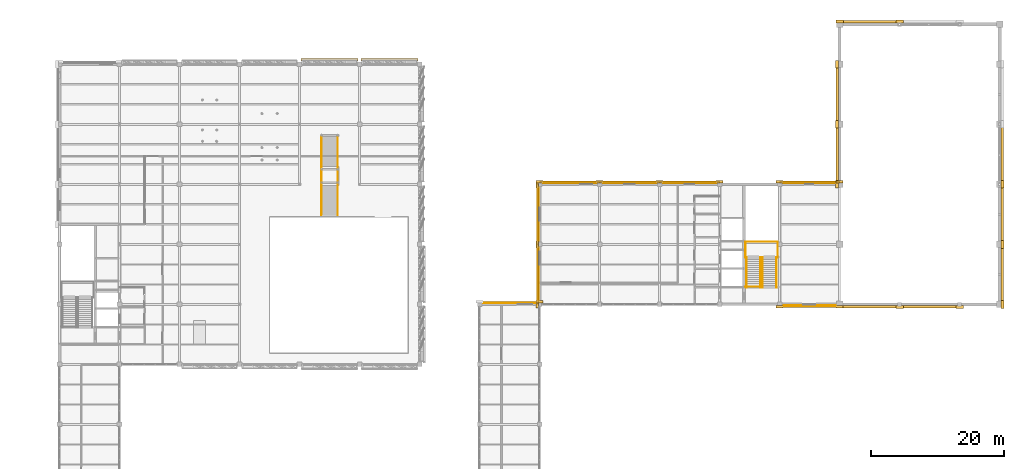
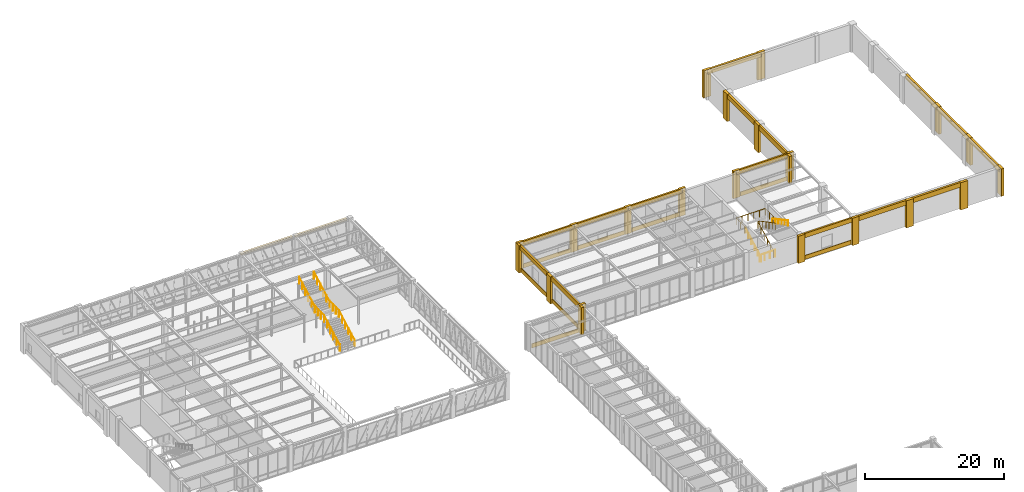
# One storey, part 91 of 92: 47 coverings, 7 railings.
"""IFC4 building model written with IfcOpenShell, lengths in metres."""

from ifc_helpers import new_model, si_unit, direction, frame, origin, origin_2d, place, context, subcontext, project, spatial, rectangle, circle, extrude, material, layer, layer_set, type_object, element, save


model = new_model("IFC4")

# Units and contexts
model_context = context("Model", 3, precision=1e-05, world=origin(), true_north=direction((0.0, 1.0)))
body_context = subcontext(model_context, "Body", "Model", "MODEL_VIEW")
ifc_project = project(units=[si_unit("LENGTHUNIT", "METRE"), si_unit("AREAUNIT", "SQUARE_METRE"), si_unit("VOLUMEUNIT", "CUBIC_METRE"), si_unit("PLANEANGLEUNIT", "RADIAN"), si_unit("MASSUNIT", "GRAM", prefix="KILO")], contexts=[model_context])

# Site, building, storey
site_placement = place(None, origin())
site = spatial("IfcSite", under=ifc_project, at=site_placement, CompositionType="ELEMENT")
building_placement = place(site_placement, origin())
building = spatial("IfcBuilding", under=site, at=building_placement, Name="Lykobir Media Centre", CompositionType="ELEMENT")
storey_placement = place(building_placement, frame((0.0, 0.0, 5.39990234375)))
storey = spatial("IfcBuildingStorey", under=building, at=storey_placement, Name="L01", CompositionType="ELEMENT", Elevation=5.39990234375)

# Coverings
ifc_material_1 = material(Name="Honed Travertine Stone", Category="masonry")
ifc_layer = layer(ifc_material_1, 0.050048828125, Name="Honed Travertine Stone")
ifc_layer_set = layer_set([ifc_layer], Name="Honed Travertine Stone")
covering_type = type_object("IfcCoveringType", Name="CLD-TRAV", PredefinedType="CLADDING", material=ifc_layer_set)
covering_1_placement = place(storey_placement, frame((99.0, 72.3798828125, 0.0), z_axis=(0.0, 0.0, 1.0), x_axis=(-1.0, 0.0, 0.0)))
element("IfcCovering", 1, at=covering_1_placement, inside=storey, type_object=covering_type, Name="Travertine column pier 213", PredefinedType="CLADDING", context=body_context, shape_type="SweptSolid", body=[
    extrude(rectangle(XDim=1.06005859375, YDim=0.39990234375, at=origin_2d()), origin(), (0.0, 0.0, 1.0), 4.800048828125),
])
covering_2_placement = place(storey_placement, frame((94.5, 72.216064453125, 0.080078125), z_axis=(0.0, 0.0, 1.0), x_axis=(-1.0, 0.0, 0.0)))
element("IfcCovering", 2, at=covering_2_placement, inside=storey, type_object=covering_type, Name="Facade spandrel apron 216", PredefinedType="CLADDING", context=body_context, shape_type="SweptSolid", body=[
    extrude(rectangle(XDim=7.929931640625, YDim=0.110107421875, at=origin_2d()), origin(), (0.0, 0.0, 1.0), 0.719970703125),
])
for number, where, z_axis, x_axis, name in (
    (3, (67.5, 108.6845703125, 3.88525390625), (0.0, 0.0, 1.0), (-1.0, 0.0, 0.0), "V6 diagonal crease rib 229"),
    (4, (76.5, 108.6845703125, 3.88525390625), (0.0, 0.0, 1.0), (-1.0, 0.0, 0.0), "V6 diagonal crease rib 230"),
):
    element("IfcCovering", number, at=place(storey_placement, frame(where, z_axis=z_axis, x_axis=x_axis)), inside=storey, type_object=covering_type, Name=name, PredefinedType="CLADDING", context=body_context, shape_type="SweptSolid", body=[
        extrude(rectangle(XDim=8.530029296875, YDim=0.360107421875, at=origin_2d()), origin(), (0.0, 0.0, 1.0), 0.340087890625),
    ])
for number, where, z_axis, x_axis, name in (
    (5, (98.6201171875, 81.0, 0.0), (0.0, 0.0, 1.0), (0.0, -1.0, 0.0), "Travertine column pier 259"),
    (6, (98.6201171875, 72.0, 0.0), (0.0, 0.0, 1.0), (0.0, -1.0, 0.0), "Travertine column pier 260"),
):
    element("IfcCovering", number, at=place(storey_placement, frame(where, z_axis=z_axis, x_axis=x_axis)), inside=storey, type_object=covering_type, Name=name, PredefinedType="CLADDING", context=body_context, shape_type="SweptSolid", body=[
        extrude(rectangle(XDim=1.06005859375, YDim=0.39990234375, at=origin_2d()), origin(), (0.0, 0.0, 1.0), 4.800048828125),
    ])
covering_3_placement = place(storey_placement, frame((98.699951171875, 76.5, 4.0400390625), z_axis=(0.0, 0.0, 1.0), x_axis=(0.0, -1.0, 0.0)))
element("IfcCovering", 7, at=covering_3_placement, inside=storey, type_object=covering_type, Name="Travertine spandrel stringcourse 261", PredefinedType="CLADDING", context=body_context, shape_type="SweptSolid", body=[
    extrude(rectangle(XDim=9.0, YDim=0.280029296875, at=origin_2d()), origin(), (0.0, 0.0, 1.0), 0.760009765625),
])
covering_4_placement = place(storey_placement, frame((98.783935546875, 76.5, 0.080078125), z_axis=(0.0, 0.0, 1.0), x_axis=(0.0, -1.0, 0.0)))
element("IfcCovering", 8, at=covering_4_placement, inside=storey, type_object=covering_type, Name="Facade spandrel apron 262", PredefinedType="CLADDING", context=body_context, shape_type="SweptSolid", body=[
    extrude(rectangle(XDim=7.929931640625, YDim=0.110107421875, at=origin_2d()), origin(), (0.0, 0.0, 1.0), 0.719970703125),
])
covering_5_placement = place(storey_placement, frame((98.6201171875, 90.0, 0.0), z_axis=(0.0, 0.0, 1.0), x_axis=(0.0, -1.0, 0.0)))
element("IfcCovering", 9, at=covering_5_placement, inside=storey, type_object=covering_type, Name="Travertine column pier 263", PredefinedType="CLADDING", context=body_context, shape_type="SweptSolid", body=[
    extrude(rectangle(XDim=1.06005859375, YDim=0.39990234375, at=origin_2d()), origin(), (0.0, 0.0, 1.0), 4.800048828125),
])
covering_6_placement = place(storey_placement, frame((98.699951171875, 85.5, 4.0400390625), z_axis=(0.0, 0.0, 1.0), x_axis=(0.0, -1.0, 0.0)))
element("IfcCovering", 10, at=covering_6_placement, inside=storey, type_object=covering_type, Name="Travertine spandrel stringcourse 264", PredefinedType="CLADDING", context=body_context, shape_type="SweptSolid", body=[
    extrude(rectangle(XDim=9.0, YDim=0.280029296875, at=origin_2d()), origin(), (0.0, 0.0, 1.0), 0.760009765625),
])
covering_7_placement = place(storey_placement, frame((98.783935546875, 85.5, 0.080078125), z_axis=(0.0, 0.0, 1.0), x_axis=(0.0, -1.0, 0.0)))
element("IfcCovering", 11, at=covering_7_placement, inside=storey, type_object=covering_type, Name="Facade spandrel apron 265", PredefinedType="CLADDING", context=body_context, shape_type="SweptSolid", body=[
    extrude(rectangle(XDim=7.929931640625, YDim=0.110107421875, at=origin_2d()), origin(), (0.0, 0.0, 1.0), 0.719970703125),
])
for number, where, z_axis, x_axis, name in (
    (12, (135.0, 71.6201171875, 0.0), (0.0, 0.0, 1.0), (1.0, 0.0, 0.0), "Travertine column pier 266"),
    (13, (144.0, 71.6201171875, 0.0), (0.0, 0.0, 1.0), (1.0, 0.0, 0.0), "Travertine column pier 267"),
):
    element("IfcCovering", number, at=place(storey_placement, frame(where, z_axis=z_axis, x_axis=x_axis)), inside=storey, type_object=covering_type, Name=name, PredefinedType="CLADDING", context=body_context, shape_type="SweptSolid", body=[
        extrude(rectangle(XDim=1.06005859375, YDim=0.39990234375, at=origin_2d()), origin(), (0.0, 0.0, 1.0), 4.800048828125),
    ])
covering_8_placement = place(storey_placement, frame((139.5, 71.699951171875, 4.0400390625), z_axis=(0.0, 0.0, 1.0), x_axis=(1.0, 0.0, 0.0)))
element("IfcCovering", 14, at=covering_8_placement, inside=storey, type_object=covering_type, Name="Travertine spandrel stringcourse 268", PredefinedType="CLADDING", context=body_context, shape_type="SweptSolid", body=[
    extrude(rectangle(XDim=9.0, YDim=0.280029296875, at=origin_2d()), origin(), (0.0, 0.0, 1.0), 0.760009765625),
])
covering_9_placement = place(storey_placement, frame((139.5, 71.783935546875, 0.080078125), z_axis=(0.0, 0.0, 1.0), x_axis=(1.0, 0.0, 0.0)))
element("IfcCovering", 15, at=covering_9_placement, inside=storey, type_object=covering_type, Name="Facade spandrel apron 269", PredefinedType="CLADDING", context=body_context, shape_type="SweptSolid", body=[
    extrude(rectangle(XDim=7.780029296875, YDim=0.110107421875, at=origin_2d()), origin(), (0.0, 0.0, 1.0), 0.719970703125),
])
covering_10_placement = place(storey_placement, frame((148.5, 71.639892578125, 3.9599609375), z_axis=(0.0, 0.0, 1.0), x_axis=(1.0, 0.0, 0.0)))
element("IfcCovering", 16, at=covering_10_placement, inside=storey, type_object=covering_type, Name="Acoustic hall cornice band 270", PredefinedType="CLADDING", context=body_context, shape_type="SweptSolid", body=[
    extrude(rectangle(XDim=9.0, YDim=0.340087890625, at=origin_2d()), origin(), (0.0, 0.0, 1.0), 0.840087890625),
])
covering_11_placement = place(storey_placement, frame((153.0, 71.580078125, 0.0), z_axis=(0.0, 0.0, 1.0), x_axis=(1.0, 0.0, 0.0)))
element("IfcCovering", 17, at=covering_11_placement, inside=storey, type_object=covering_type, Name="Stone pilaster 271", PredefinedType="CLADDING", context=body_context, shape_type="SweptSolid", body=[
    extrude(rectangle(XDim=1.179931640625, YDim=0.43994140625, at=origin_2d()), origin(), (0.0, 0.0, 1.0), 4.800048828125),
])
covering_12_placement = place(storey_placement, frame((157.5, 71.639892578125, 3.9599609375), z_axis=(0.0, 0.0, 1.0), x_axis=(1.0, 0.0, 0.0)))
element("IfcCovering", 18, at=covering_12_placement, inside=storey, type_object=covering_type, Name="Acoustic hall cornice band 272", PredefinedType="CLADDING", context=body_context, shape_type="SweptSolid", body=[
    extrude(rectangle(XDim=9.0, YDim=0.340087890625, at=origin_2d()), origin(), (0.0, 0.0, 1.0), 0.840087890625),
])
covering_13_placement = place(storey_placement, frame((162.0, 71.580078125, 0.0), z_axis=(0.0, 0.0, 1.0), x_axis=(1.0, 0.0, 0.0)))
element("IfcCovering", 19, at=covering_13_placement, inside=storey, type_object=covering_type, Name="Stone pilaster 273", PredefinedType="CLADDING", context=body_context, shape_type="SweptSolid", body=[
    extrude(rectangle(XDim=1.179931640625, YDim=0.43994140625, at=origin_2d()), origin(), (0.0, 0.0, 1.0), 4.800048828125),
])
covering_14_placement = place(storey_placement, frame((168.360107421875, 76.5, 3.9599609375), z_axis=(0.0, 0.0, 1.0), x_axis=(0.0, 1.0, 0.0)))
element("IfcCovering", 20, at=covering_14_placement, inside=storey, type_object=covering_type, Name="Acoustic hall cornice band 274", PredefinedType="CLADDING", context=body_context, shape_type="SweptSolid", body=[
    extrude(rectangle(XDim=9.0, YDim=0.340087890625, at=origin_2d()), origin(), (0.0, 0.0, 1.0), 0.840087890625),
])
for number, where, z_axis, x_axis, name in (
    (21, (168.419921875, 72.0, 0.0), (0.0, 0.0, 1.0), (0.0, 1.0, 0.0), "Stone pilaster 275"),
    (22, (168.419921875, 81.0, 0.0), (0.0, 0.0, 1.0), (0.0, 1.0, 0.0), "Stone pilaster 276"),
):
    element("IfcCovering", number, at=place(storey_placement, frame(where, z_axis=z_axis, x_axis=x_axis)), inside=storey, type_object=covering_type, Name=name, PredefinedType="CLADDING", context=body_context, shape_type="SweptSolid", body=[
        extrude(rectangle(XDim=1.179931640625, YDim=0.43994140625, at=origin_2d()), origin(), (0.0, 0.0, 1.0), 4.800048828125),
    ])
covering_15_placement = place(storey_placement, frame((168.360107421875, 85.5, 3.9599609375), z_axis=(0.0, 0.0, 1.0), x_axis=(0.0, 1.0, 0.0)))
element("IfcCovering", 23, at=covering_15_placement, inside=storey, type_object=covering_type, Name="Acoustic hall cornice band 277", PredefinedType="CLADDING", context=body_context, shape_type="SweptSolid", body=[
    extrude(rectangle(XDim=9.0, YDim=0.340087890625, at=origin_2d()), origin(), (0.0, 0.0, 1.0), 0.840087890625),
])
covering_16_placement = place(storey_placement, frame((168.419921875, 90.0, 0.0), z_axis=(0.0, 0.0, 1.0), x_axis=(0.0, 1.0, 0.0)))
element("IfcCovering", 24, at=covering_16_placement, inside=storey, type_object=covering_type, Name="Stone pilaster 278", PredefinedType="CLADDING", context=body_context, shape_type="SweptSolid", body=[
    extrude(rectangle(XDim=1.179931640625, YDim=0.43994140625, at=origin_2d()), origin(), (0.0, 0.0, 1.0), 4.800048828125),
])
for number, where, z_axis, x_axis, name in (
    (25, (168.360107421875, 94.5, 3.9599609375), (0.0, 0.0, 1.0), (0.0, 1.0, 0.0), "Acoustic hall cornice band 279"),
    (26, (148.5, 114.360107421875, 3.9599609375), (0.0, 0.0, 1.0), (-1.0, 0.0, 0.0), "Acoustic hall cornice band 283"),
):
    element("IfcCovering", number, at=place(storey_placement, frame(where, z_axis=z_axis, x_axis=x_axis)), inside=storey, type_object=covering_type, Name=name, PredefinedType="CLADDING", context=body_context, shape_type="SweptSolid", body=[
        extrude(rectangle(XDim=9.0, YDim=0.340087890625, at=origin_2d()), origin(), (0.0, 0.0, 1.0), 0.840087890625),
    ])
for number, where, z_axis, x_axis, name in (
    (27, (153.0, 114.419921875, 0.0), (0.0, 0.0, 1.0), (-1.0, 0.0, 0.0), "Stone pilaster 284"),
    (28, (144.0, 114.419921875, 0.0), (0.0, 0.0, 1.0), (-1.0, 0.0, 0.0), "Stone pilaster 285"),
):
    element("IfcCovering", number, at=place(storey_placement, frame(where, z_axis=z_axis, x_axis=x_axis)), inside=storey, type_object=covering_type, Name=name, PredefinedType="CLADDING", context=body_context, shape_type="SweptSolid", body=[
        extrude(rectangle(XDim=1.179931640625, YDim=0.43994140625, at=origin_2d()), origin(), (0.0, 0.0, 1.0), 4.800048828125),
    ])
covering_17_placement = place(storey_placement, frame((143.639892578125, 94.5, 3.9599609375), z_axis=(0.0, 0.0, 1.0), x_axis=(0.0, -1.0, 0.0)))
element("IfcCovering", 29, at=covering_17_placement, inside=storey, type_object=covering_type, Name="Acoustic hall cornice band 288", PredefinedType="CLADDING", context=body_context, shape_type="SweptSolid", body=[
    extrude(rectangle(XDim=9.0, YDim=0.340087890625, at=origin_2d()), origin(), (0.0, 0.0, 1.0), 0.840087890625),
])
for number, where, z_axis, x_axis, name in (
    (30, (143.580078125, 99.0, 0.0), (0.0, 0.0, 1.0), (0.0, -1.0, 0.0), "Stone pilaster 289"),
    (31, (143.580078125, 90.0, 0.0), (0.0, 0.0, 1.0), (0.0, -1.0, 0.0), "Stone pilaster 290"),
):
    element("IfcCovering", number, at=place(storey_placement, frame(where, z_axis=z_axis, x_axis=x_axis)), inside=storey, type_object=covering_type, Name=name, PredefinedType="CLADDING", context=body_context, shape_type="SweptSolid", body=[
        extrude(rectangle(XDim=1.179931640625, YDim=0.43994140625, at=origin_2d()), origin(), (0.0, 0.0, 1.0), 4.800048828125),
    ])
covering_18_placement = place(storey_placement, frame((143.639892578125, 103.5, 3.9599609375), z_axis=(0.0, 0.0, 1.0), x_axis=(0.0, -1.0, 0.0)))
element("IfcCovering", 32, at=covering_18_placement, inside=storey, type_object=covering_type, Name="Acoustic hall cornice band 291", PredefinedType="CLADDING", context=body_context, shape_type="SweptSolid", body=[
    extrude(rectangle(XDim=9.0, YDim=0.340087890625, at=origin_2d()), origin(), (0.0, 0.0, 1.0), 0.840087890625),
])
covering_19_placement = place(storey_placement, frame((143.580078125, 108.0, 0.0), z_axis=(0.0, 0.0, 1.0), x_axis=(0.0, -1.0, 0.0)))
element("IfcCovering", 33, at=covering_19_placement, inside=storey, type_object=covering_type, Name="Stone pilaster 292", PredefinedType="CLADDING", context=body_context, shape_type="SweptSolid", body=[
    extrude(rectangle(XDim=1.179931640625, YDim=0.43994140625, at=origin_2d()), origin(), (0.0, 0.0, 1.0), 4.800048828125),
])
for number, where, z_axis, x_axis, name in (
    (34, (108.0, 90.3798828125, 0.0), (0.0, 0.0, 1.0), (-1.0, 0.0, 0.0), "Travertine column pier 293"),
    (35, (99.0, 90.3798828125, 0.0), (0.0, 0.0, 1.0), (-1.0, 0.0, 0.0), "Travertine column pier 294"),
):
    element("IfcCovering", number, at=place(storey_placement, frame(where, z_axis=z_axis, x_axis=x_axis)), inside=storey, type_object=covering_type, Name=name, PredefinedType="CLADDING", context=body_context, shape_type="SweptSolid", body=[
        extrude(rectangle(XDim=1.06005859375, YDim=0.39990234375, at=origin_2d()), origin(), (0.0, 0.0, 1.0), 4.800048828125),
    ])
covering_20_placement = place(storey_placement, frame((103.5, 90.300048828125, 4.0400390625), z_axis=(0.0, 0.0, 1.0), x_axis=(-1.0, 0.0, 0.0)))
element("IfcCovering", 36, at=covering_20_placement, inside=storey, type_object=covering_type, Name="Travertine spandrel stringcourse 295", PredefinedType="CLADDING", context=body_context, shape_type="SweptSolid", body=[
    extrude(rectangle(XDim=9.0, YDim=0.280029296875, at=origin_2d()), origin(), (0.0, 0.0, 1.0), 0.760009765625),
])
covering_21_placement = place(storey_placement, frame((103.5, 90.216064453125, 0.080078125), z_axis=(0.0, 0.0, 1.0), x_axis=(-1.0, 0.0, 0.0)))
element("IfcCovering", 37, at=covering_21_placement, inside=storey, type_object=covering_type, Name="Facade spandrel apron 296", PredefinedType="CLADDING", context=body_context, shape_type="SweptSolid", body=[
    extrude(rectangle(XDim=7.929931640625, YDim=0.110107421875, at=origin_2d()), origin(), (0.0, 0.0, 1.0), 0.719970703125),
])
covering_22_placement = place(storey_placement, frame((117.0, 90.3798828125, 0.0), z_axis=(0.0, 0.0, 1.0), x_axis=(-1.0, 0.0, 0.0)))
element("IfcCovering", 38, at=covering_22_placement, inside=storey, type_object=covering_type, Name="Travertine column pier 297", PredefinedType="CLADDING", context=body_context, shape_type="SweptSolid", body=[
    extrude(rectangle(XDim=1.06005859375, YDim=0.39990234375, at=origin_2d()), origin(), (0.0, 0.0, 1.0), 4.800048828125),
])
covering_23_placement = place(storey_placement, frame((112.5, 90.300048828125, 4.0400390625), z_axis=(0.0, 0.0, 1.0), x_axis=(-1.0, 0.0, 0.0)))
element("IfcCovering", 39, at=covering_23_placement, inside=storey, type_object=covering_type, Name="Travertine spandrel stringcourse 298", PredefinedType="CLADDING", context=body_context, shape_type="SweptSolid", body=[
    extrude(rectangle(XDim=9.0, YDim=0.280029296875, at=origin_2d()), origin(), (0.0, 0.0, 1.0), 0.760009765625),
])
covering_24_placement = place(storey_placement, frame((112.5, 90.216064453125, 0.080078125), z_axis=(0.0, 0.0, 1.0), x_axis=(-1.0, 0.0, 0.0)))
element("IfcCovering", 40, at=covering_24_placement, inside=storey, type_object=covering_type, Name="Facade spandrel apron 299", PredefinedType="CLADDING", context=body_context, shape_type="SweptSolid", body=[
    extrude(rectangle(XDim=7.929931640625, YDim=0.110107421875, at=origin_2d()), origin(), (0.0, 0.0, 1.0), 0.719970703125),
])
covering_25_placement = place(storey_placement, frame((126.0, 90.3798828125, 0.0), z_axis=(0.0, 0.0, 1.0), x_axis=(-1.0, 0.0, 0.0)))
element("IfcCovering", 41, at=covering_25_placement, inside=storey, type_object=covering_type, Name="Travertine column pier 300", PredefinedType="CLADDING", context=body_context, shape_type="SweptSolid", body=[
    extrude(rectangle(XDim=1.06005859375, YDim=0.39990234375, at=origin_2d()), origin(), (0.0, 0.0, 1.0), 4.800048828125),
])
covering_26_placement = place(storey_placement, frame((121.5, 90.300048828125, 4.0400390625), z_axis=(0.0, 0.0, 1.0), x_axis=(-1.0, 0.0, 0.0)))
element("IfcCovering", 42, at=covering_26_placement, inside=storey, type_object=covering_type, Name="Travertine spandrel stringcourse 301", PredefinedType="CLADDING", context=body_context, shape_type="SweptSolid", body=[
    extrude(rectangle(XDim=9.0, YDim=0.280029296875, at=origin_2d()), origin(), (0.0, 0.0, 1.0), 0.760009765625),
])
covering_27_placement = place(storey_placement, frame((121.5, 90.216064453125, 0.080078125), z_axis=(0.0, 0.0, 1.0), x_axis=(-1.0, 0.0, 0.0)))
element("IfcCovering", 43, at=covering_27_placement, inside=storey, type_object=covering_type, Name="Facade spandrel apron 302", PredefinedType="CLADDING", context=body_context, shape_type="SweptSolid", body=[
    extrude(rectangle(XDim=7.929931640625, YDim=0.110107421875, at=origin_2d()), origin(), (0.0, 0.0, 1.0), 0.719970703125),
])
for number, where, z_axis, x_axis, name in (
    (44, (144.0, 90.3798828125, 0.0), (0.0, 0.0, 1.0), (-1.0, 0.0, 0.0), "Travertine column pier 303"),
    (45, (135.0, 90.3798828125, 0.0), (0.0, 0.0, 1.0), (-1.0, 0.0, 0.0), "Travertine column pier 304"),
):
    element("IfcCovering", number, at=place(storey_placement, frame(where, z_axis=z_axis, x_axis=x_axis)), inside=storey, type_object=covering_type, Name=name, PredefinedType="CLADDING", context=body_context, shape_type="SweptSolid", body=[
        extrude(rectangle(XDim=1.06005859375, YDim=0.39990234375, at=origin_2d()), origin(), (0.0, 0.0, 1.0), 4.800048828125),
    ])
covering_28_placement = place(storey_placement, frame((139.5, 90.300048828125, 4.0400390625), z_axis=(0.0, 0.0, 1.0), x_axis=(-1.0, 0.0, 0.0)))
element("IfcCovering", 46, at=covering_28_placement, inside=storey, type_object=covering_type, Name="Travertine spandrel stringcourse 305", PredefinedType="CLADDING", context=body_context, shape_type="SweptSolid", body=[
    extrude(rectangle(XDim=9.0, YDim=0.280029296875, at=origin_2d()), origin(), (0.0, 0.0, 1.0), 0.760009765625),
])
covering_29_placement = place(storey_placement, frame((139.5, 90.216064453125, 0.080078125), z_axis=(0.0, 0.0, 1.0), x_axis=(-1.0, 0.0, 0.0)))
element("IfcCovering", 47, at=covering_29_placement, inside=storey, type_object=covering_type, Name="Facade spandrel apron 306", PredefinedType="CLADDING", context=body_context, shape_type="SweptSolid", body=[
    extrude(rectangle(XDim=7.780029296875, YDim=0.110107421875, at=origin_2d()), origin(), (0.0, 0.0, 1.0), 0.719970703125),
])

# Railings
ifc_material_2 = material(Name="Steel S355", Category="steel")
railing_type_1 = type_object("IfcRailingType", Name="GR-1200", PredefinedType="BALUSTRADE", material=ifc_material_2)
railing_1_placement = place(storey_placement, frame((129.8701171875, 74.6298828125, 0.0)))
element("IfcRailing", 48, at=railing_1_placement, inside=storey, type_object=railing_type_1, Name="ST-4 L01 arrival well guard", PredefinedType="BALUSTRADE", context=body_context, shape_type="SweptSolid", body=[
    extrude(circle(Radius=0.02392578125, at=origin_2d()), frame((0.0, 0.0, 1.17578125), z_axis=(1.0, 0.0, 0.0), x_axis=(0.0, 1.0, 0.0)), (0.0, 0.0, 1.0), 2.539794921875),
    extrude(circle(Radius=0.02099609375, at=origin_2d()), origin(), (0.0, 0.0, 1.0), 1.15185546875),
    extrude(circle(Radius=0.02099609375, at=origin_2d()), frame((0.8466796875, 0.0, 0.0)), (0.0, 0.0, 1.0), 1.15185546875),
    extrude(circle(Radius=0.02099609375, at=origin_2d()), frame((1.693115234375, 0.0, 0.0)), (0.0, 0.0, 1.0), 1.15185546875),
    extrude(circle(Radius=0.02099609375, at=origin_2d()), frame((2.539794921875, 0.0, 0.0)), (0.0, 0.0, 1.0), 1.15185546875),
])
railing_2_placement = place(storey_placement, frame((132.1298828125, 74.530029296875, 0.0)))
element("IfcRailing", 49, at=railing_2_placement, inside=storey, type_object=railing_type_1, Name="ST-4 L01 inner well and slot guard", PredefinedType="BALUSTRADE", context=body_context, shape_type="SweptSolid", body=[
    extrude(circle(Radius=0.02392578125, at=origin_2d()), frame((0.0, 0.0, 1.17578125), z_axis=(0.0, 0.882341014787, 0.470610596591), x_axis=(-1.0, 0.0, 0.0)), (0.0, 0.0, 1.0), 5.10009765625),
    extrude(circle(Radius=0.02392578125, at=origin_2d()), frame((0.0, 4.5, 3.576171875), z_axis=(1.0, 0.0, 0.0), x_axis=(0.0, 1.0, 0.0)), (0.0, 0.0, 1.0), 0.280029296875),
    extrude(circle(Radius=0.02392578125, at=origin_2d()), frame((0.280029296875, 4.5, 3.576171875), z_axis=(0.0, -0.882360891967, 0.470573327259), x_axis=(1.0, 0.0, 0.0)), (0.0, 0.0, 1.0), 5.099853515625),
    extrude(circle(Radius=0.02099609375, at=origin_2d()), origin(), (0.0, 0.0, 1.0), 1.15185546875),
    extrude(circle(Radius=0.02099609375, at=origin_2d()), frame((0.0, 0.89990234375, 0.47998046875)), (0.0, 0.0, 1.0), 1.15185546875),
    extrude(circle(Radius=0.02099609375, at=origin_2d()), frame((0.0, 1.800048828125, 0.9599609375)), (0.0, 0.0, 1.0), 1.15185546875),
    extrude(circle(Radius=0.02099609375, at=origin_2d()), frame((0.0, 2.699951171875, 1.440185546875)), (0.0, 0.0, 1.0), 1.15185546875),
    extrude(circle(Radius=0.02099609375, at=origin_2d()), frame((0.0, 3.60009765625, 1.920166015625)), (0.0, 0.0, 1.0), 1.15185546875),
    extrude(circle(Radius=0.02099609375, at=origin_2d()), frame((0.0, 4.5, 2.400146484375)), (0.0, 0.0, 1.0), 1.15185546875),
    extrude(circle(Radius=0.02099609375, at=origin_2d()), frame((0.280029296875, 4.5, 2.400146484375)), (0.0, 0.0, 1.0), 1.15185546875),
    extrude(circle(Radius=0.02099609375, at=origin_2d()), frame((0.280029296875, 3.60009765625, 2.880126953125)), (0.0, 0.0, 1.0), 1.15185546875),
    extrude(circle(Radius=0.02099609375, at=origin_2d()), frame((0.280029296875, 2.699951171875, 3.360107421875)), (0.0, 0.0, 1.0), 1.15185546875),
    extrude(circle(Radius=0.02099609375, at=origin_2d()), frame((0.280029296875, 1.800048828125, 3.840087890625)), (0.0, 0.0, 1.0), 1.15185546875),
    extrude(circle(Radius=0.02099609375, at=origin_2d()), frame((0.280029296875, 0.89990234375, 4.320068359375)), (0.0, 0.0, 1.0), 1.15185546875),
    extrude(circle(Radius=0.02099609375, at=origin_2d()), frame((0.280029296875, 0.0, 4.800048828125)), (0.0, 0.0, 1.0), 1.15185546875),
])
railing_3_placement = place(storey_placement, frame((129.989990234375, 78.989990234375, 2.400146484375)))
element("IfcRailing", 50, at=railing_3_placement, inside=storey, type_object=railing_type_1, Name="ST-4 L01 half-landing perimeter guard", PredefinedType="BALUSTRADE", context=body_context, shape_type="SweptSolid", body=[
    extrude(circle(Radius=0.02392578125, at=origin_2d()), frame((0.0, 0.0, 1.17578125), z_axis=(-1.0, 0.0, 0.0), x_axis=(0.0, -1.0, 0.0)), (0.0, 0.0, 1.0), 0.110107421875),
    extrude(circle(Radius=0.02392578125, at=origin_2d()), frame((-0.110107421875, 0.0, 1.17578125), z_axis=(0.0, 1.0, 0.0), x_axis=(-1.0, 0.0, 0.0)), (0.0, 0.0, 1.0), 2.39990234375),
    extrude(circle(Radius=0.02392578125, at=origin_2d()), frame((-0.110107421875, 2.39990234375, 1.17578125), z_axis=(1.0, 0.0, 0.0), x_axis=(0.0, 1.0, 0.0)), (0.0, 0.0, 1.0), 4.840087890625),
    extrude(circle(Radius=0.02392578125, at=origin_2d()), frame((4.72998046875, 2.39990234375, 1.17578125), z_axis=(0.0, -1.0, 0.0), x_axis=(1.0, 0.0, 0.0)), (0.0, 0.0, 1.0), 2.39990234375),
    extrude(circle(Radius=0.02392578125, at=origin_2d()), frame((4.72998046875, 0.0, 1.17578125), z_axis=(-1.0, 0.0, 0.0), x_axis=(0.0, -1.0, 0.0)), (0.0, 0.0, 1.0), 0.169921875),
    extrude(circle(Radius=0.02099609375, at=origin_2d()), origin(), (0.0, 0.0, 1.0), 1.15185546875),
    extrude(circle(Radius=0.02099609375, at=origin_2d()), frame((-0.110107421875, 0.0, 0.0)), (0.0, 0.0, 1.0), 1.15185546875),
    extrude(circle(Radius=0.02099609375, at=origin_2d()), frame((-0.110107421875, 1.199951171875, 0.0)), (0.0, 0.0, 1.0), 1.15185546875),
    extrude(circle(Radius=0.02099609375, at=origin_2d()), frame((-0.110107421875, 2.39990234375, 0.0)), (0.0, 0.0, 1.0), 1.15185546875),
    extrude(circle(Radius=0.02099609375, at=origin_2d()), frame((0.85791015625, 2.39990234375, 0.0)), (0.0, 0.0, 1.0), 1.15185546875),
    extrude(circle(Radius=0.02099609375, at=origin_2d()), frame((1.825927734375, 2.39990234375, 0.0)), (0.0, 0.0, 1.0), 1.15185546875),
    extrude(circle(Radius=0.02099609375, at=origin_2d()), frame((2.7939453125, 2.39990234375, 0.0)), (0.0, 0.0, 1.0), 1.15185546875),
    extrude(circle(Radius=0.02099609375, at=origin_2d()), frame((3.761962890625, 2.39990234375, 0.0)), (0.0, 0.0, 1.0), 1.15185546875),
    extrude(circle(Radius=0.02099609375, at=origin_2d()), frame((4.72998046875, 2.39990234375, 0.0)), (0.0, 0.0, 1.0), 1.15185546875),
    extrude(circle(Radius=0.02099609375, at=origin_2d()), frame((4.72998046875, 1.199951171875, 0.0)), (0.0, 0.0, 1.0), 1.15185546875),
    extrude(circle(Radius=0.02099609375, at=origin_2d()), frame((4.72998046875, 0.0, 0.0)), (0.0, 0.0, 1.0), 1.15185546875),
    extrude(circle(Radius=0.02099609375, at=origin_2d()), frame((4.56005859375, 0.0, 0.0)), (0.0, 0.0, 1.0), 1.15185546875),
])
railing_4_placement = place(storey_placement, frame((66.264892578125, 85.39990234375, 0.0)))
element("IfcRailing", 51, at=railing_4_placement, inside=storey, type_object=railing_type_1, Name="Valley stair 2 balustrade", PredefinedType="BALUSTRADE", context=body_context, shape_type="SweptSolid", body=[
    extrude(circle(Radius=0.02392578125, at=origin_2d()), frame((0.0, 0.0, 1.17578125), z_axis=(0.0, 0.882341014787, 0.470610596591), x_axis=(-1.0, 0.0, 0.0)), (0.0, 0.0, 1.0), 5.10009765625),
    extrude(circle(Radius=0.02392578125, at=origin_2d()), frame((0.0, 4.5, 3.576171875), z_axis=(0.0, 1.0, 0.0), x_axis=(-1.0, 0.0, 0.0)), (0.0, 0.0, 1.0), 2.7001953125),
    extrude(circle(Radius=0.02392578125, at=origin_2d()), frame((0.0, 7.2001953125, 3.576171875), z_axis=(0.0, 0.882360891967, 0.470573327259), x_axis=(-1.0, 0.0, 0.0)), (0.0, 0.0, 1.0), 5.099853515625),
    extrude(circle(Radius=0.02099609375, at=origin_2d()), origin(), (0.0, 0.0, 1.0), 1.15185546875),
    extrude(circle(Radius=0.02099609375, at=origin_2d()), frame((0.0, 0.89990234375, 0.47998046875)), (0.0, 0.0, 1.0), 1.15185546875),
    extrude(circle(Radius=0.02099609375, at=origin_2d()), frame((0.0, 1.800048828125, 0.9599609375)), (0.0, 0.0, 1.0), 1.15185546875),
    extrude(circle(Radius=0.02099609375, at=origin_2d()), frame((0.0, 2.699951171875, 1.440185546875)), (0.0, 0.0, 1.0), 1.15185546875),
    extrude(circle(Radius=0.02099609375, at=origin_2d()), frame((0.0, 3.60009765625, 1.920166015625)), (0.0, 0.0, 1.0), 1.15185546875),
    extrude(circle(Radius=0.02099609375, at=origin_2d()), frame((0.0, 4.5, 2.400146484375)), (0.0, 0.0, 1.0), 1.15185546875),
    extrude(circle(Radius=0.02099609375, at=origin_2d()), frame((0.0, 5.400146484375, 2.400146484375)), (0.0, 0.0, 1.0), 1.15185546875),
    extrude(circle(Radius=0.02099609375, at=origin_2d()), frame((0.0, 6.300048828125, 2.400146484375)), (0.0, 0.0, 1.0), 1.15185546875),
    extrude(circle(Radius=0.02099609375, at=origin_2d()), frame((0.0, 7.2001953125, 2.400146484375)), (0.0, 0.0, 1.0), 1.15185546875),
    extrude(circle(Radius=0.02099609375, at=origin_2d()), frame((0.0, 8.10009765625, 2.880126953125)), (0.0, 0.0, 1.0), 1.15185546875),
    extrude(circle(Radius=0.02099609375, at=origin_2d()), frame((0.0, 9.000244140625, 3.360107421875)), (0.0, 0.0, 1.0), 1.15185546875),
    extrude(circle(Radius=0.02099609375, at=origin_2d()), frame((0.0, 9.900146484375, 3.840087890625)), (0.0, 0.0, 1.0), 1.15185546875),
    extrude(circle(Radius=0.02099609375, at=origin_2d()), frame((0.0, 10.80029296875, 4.320068359375)), (0.0, 0.0, 1.0), 1.15185546875),
    extrude(circle(Radius=0.02099609375, at=origin_2d()), frame((0.0, 11.7001953125, 4.800048828125)), (0.0, 0.0, 1.0), 1.15185546875),
])
railing_5_placement = place(storey_placement, frame((68.735107421875, 85.39990234375, 0.0)))
element("IfcRailing", 52, at=railing_5_placement, inside=storey, type_object=railing_type_1, Name="Valley stair 2 balustrade", PredefinedType="BALUSTRADE", context=body_context, shape_type="SweptSolid", body=[
    extrude(circle(Radius=0.02392578125, at=origin_2d()), frame((0.0, 0.0, 1.17578125), z_axis=(0.0, 0.882341014787, 0.470610596591), x_axis=(-1.0, 0.0, 0.0)), (0.0, 0.0, 1.0), 5.10009765625),
    extrude(circle(Radius=0.02392578125, at=origin_2d()), frame((0.0, 4.5, 3.576171875), z_axis=(0.0, 1.0, 0.0), x_axis=(-1.0, 0.0, 0.0)), (0.0, 0.0, 1.0), 2.7001953125),
    extrude(circle(Radius=0.02392578125, at=origin_2d()), frame((0.0, 7.2001953125, 3.576171875), z_axis=(0.0, 0.882360891967, 0.470573327259), x_axis=(-1.0, 0.0, 0.0)), (0.0, 0.0, 1.0), 5.099853515625),
    extrude(circle(Radius=0.02099609375, at=origin_2d()), origin(), (0.0, 0.0, 1.0), 1.15185546875),
    extrude(circle(Radius=0.02099609375, at=origin_2d()), frame((0.0, 0.89990234375, 0.47998046875)), (0.0, 0.0, 1.0), 1.15185546875),
    extrude(circle(Radius=0.02099609375, at=origin_2d()), frame((0.0, 1.800048828125, 0.9599609375)), (0.0, 0.0, 1.0), 1.15185546875),
    extrude(circle(Radius=0.02099609375, at=origin_2d()), frame((0.0, 2.699951171875, 1.440185546875)), (0.0, 0.0, 1.0), 1.15185546875),
    extrude(circle(Radius=0.02099609375, at=origin_2d()), frame((0.0, 3.60009765625, 1.920166015625)), (0.0, 0.0, 1.0), 1.15185546875),
    extrude(circle(Radius=0.02099609375, at=origin_2d()), frame((0.0, 4.5, 2.400146484375)), (0.0, 0.0, 1.0), 1.15185546875),
    extrude(circle(Radius=0.02099609375, at=origin_2d()), frame((0.0, 5.400146484375, 2.400146484375)), (0.0, 0.0, 1.0), 1.15185546875),
    extrude(circle(Radius=0.02099609375, at=origin_2d()), frame((0.0, 6.300048828125, 2.400146484375)), (0.0, 0.0, 1.0), 1.15185546875),
    extrude(circle(Radius=0.02099609375, at=origin_2d()), frame((0.0, 7.2001953125, 2.400146484375)), (0.0, 0.0, 1.0), 1.15185546875),
    extrude(circle(Radius=0.02099609375, at=origin_2d()), frame((0.0, 8.10009765625, 2.880126953125)), (0.0, 0.0, 1.0), 1.15185546875),
    extrude(circle(Radius=0.02099609375, at=origin_2d()), frame((0.0, 9.000244140625, 3.360107421875)), (0.0, 0.0, 1.0), 1.15185546875),
    extrude(circle(Radius=0.02099609375, at=origin_2d()), frame((0.0, 9.900146484375, 3.840087890625)), (0.0, 0.0, 1.0), 1.15185546875),
    extrude(circle(Radius=0.02099609375, at=origin_2d()), frame((0.0, 10.80029296875, 4.320068359375)), (0.0, 0.0, 1.0), 1.15185546875),
    extrude(circle(Radius=0.02099609375, at=origin_2d()), frame((0.0, 11.7001953125, 4.800048828125)), (0.0, 0.0, 1.0), 1.15185546875),
])
railing_type_2 = type_object("IfcRailingType", Name="HR-0900", PredefinedType="HANDRAIL", material=ifc_material_2)
railing_6_placement = place(storey_placement, frame((130.030029296875, 74.530029296875, 0.0)))
element("IfcRailing", 53, at=railing_6_placement, inside=storey, type_object=railing_type_2, Name="ST-4 L01 F1 wall handrail", PredefinedType="HANDRAIL", context=body_context, shape_type="SweptSolid", body=[
    extrude(circle(Radius=0.02392578125, at=origin_2d()), frame((0.0, 0.0, 0.8759765625), z_axis=(0.0, 0.882341014787, 0.470610596591), x_axis=(-1.0, 0.0, 0.0)), (0.0, 0.0, 1.0), 5.10009765625),
    extrude(circle(Radius=0.02099609375, at=origin_2d()), origin(), (0.0, 0.0, 1.0), 0.851806640625),
    extrude(circle(Radius=0.02099609375, at=origin_2d()), frame((0.0, 0.89990234375, 0.47998046875)), (0.0, 0.0, 1.0), 0.851806640625),
    extrude(circle(Radius=0.02099609375, at=origin_2d()), frame((0.0, 1.800048828125, 0.9599609375)), (0.0, 0.0, 1.0), 0.851806640625),
    extrude(circle(Radius=0.02099609375, at=origin_2d()), frame((0.0, 2.699951171875, 1.440185546875)), (0.0, 0.0, 1.0), 0.851806640625),
    extrude(circle(Radius=0.02099609375, at=origin_2d()), frame((0.0, 3.60009765625, 1.920166015625)), (0.0, 0.0, 1.0), 0.851806640625),
    extrude(circle(Radius=0.02099609375, at=origin_2d()), frame((0.0, 4.5, 2.400146484375)), (0.0, 0.0, 1.0), 0.851806640625),
])
railing_7_placement = place(storey_placement, frame((134.510009765625, 79.030029296875, 2.400146484375)))
element("IfcRailing", 54, at=railing_7_placement, inside=storey, type_object=railing_type_2, Name="ST-4 L01 F2 wall handrail", PredefinedType="HANDRAIL", context=body_context, shape_type="SweptSolid", body=[
    extrude(circle(Radius=0.02392578125, at=origin_2d()), frame((0.0, 0.0, 0.8759765625), z_axis=(0.0, -0.882360891967, 0.470573327259), x_axis=(1.0, 0.0, 0.0)), (0.0, 0.0, 1.0), 5.099853515625),
    extrude(circle(Radius=0.02099609375, at=origin_2d()), origin(), (0.0, 0.0, 1.0), 0.851806640625),
    extrude(circle(Radius=0.02099609375, at=origin_2d()), frame((0.0, -0.89990234375, 0.47998046875)), (0.0, 0.0, 1.0), 0.851806640625),
    extrude(circle(Radius=0.02099609375, at=origin_2d()), frame((0.0, -1.800048828125, 0.9599609375)), (0.0, 0.0, 1.0), 0.851806640625),
    extrude(circle(Radius=0.02099609375, at=origin_2d()), frame((0.0, -2.699951171875, 1.43994140625)), (0.0, 0.0, 1.0), 0.851806640625),
    extrude(circle(Radius=0.02099609375, at=origin_2d()), frame((0.0, -3.60009765625, 1.919921875)), (0.0, 0.0, 1.0), 0.851806640625),
    extrude(circle(Radius=0.02099609375, at=origin_2d()), frame((0.0, -4.5, 2.39990234375)), (0.0, 0.0, 1.0), 0.851806640625),
])

save(model, "model.ifc")
